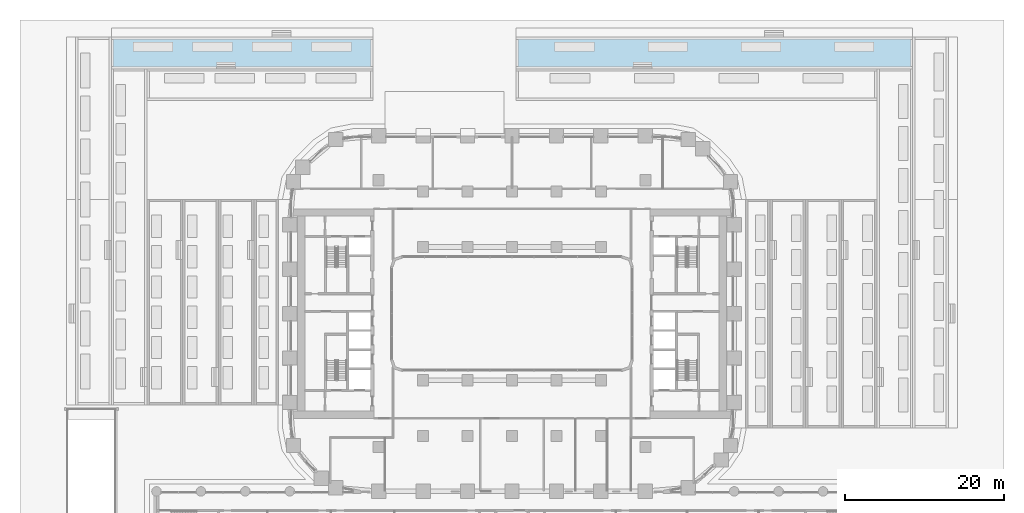
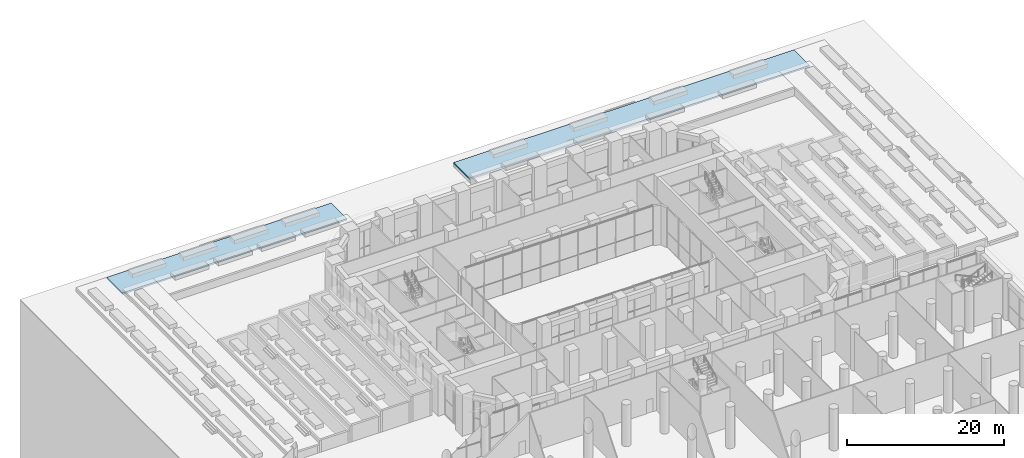
# One storey, part 28 of 51: 2 slabs.
"""IFC4 building model written with IfcOpenShell, lengths in metres."""

from ifc_helpers import new_model, si_unit, direction, frame, origin, place, context, subcontext, project, spatial, polyline, outline, extrude, material, layer, layer_set, type_object, element, save


model = new_model("IFC4")

# Units and contexts
model_context = context("Model", 3, precision=1e-05, world=origin(), true_north=direction((0.0, 1.0)))
body_context = subcontext(model_context, "Body", "Model", "MODEL_VIEW")
ifc_project = project(units=[si_unit("LENGTHUNIT", "METRE"), si_unit("AREAUNIT", "SQUARE_METRE"), si_unit("VOLUMEUNIT", "CUBIC_METRE"), si_unit("PLANEANGLEUNIT", "RADIAN"), si_unit("MASSUNIT", "GRAM", prefix="KILO")], contexts=[model_context])

# Site, building, storey
site_placement = place(None, origin())
site = spatial("IfcSite", under=ifc_project, at=site_placement, CompositionType="ELEMENT")
building_placement = place(site_placement, origin())
building = spatial("IfcBuilding", under=site, at=building_placement, Name="Kiln Ring Residences", CompositionType="ELEMENT")
storey_placement = place(building_placement, origin())
storey = spatial("IfcBuildingStorey", under=building, at=storey_placement, Name="L00", CompositionType="ELEMENT", Elevation=0.0)

# Slabs
ifc_material = material(Name="Concrete C35/45", Category="concrete")
ifc_layer = layer(ifc_material, 0.25)
ifc_layer_set = layer_set([ifc_layer], Name="TERRACE SLAB 250")
slab_type = type_object("IfcSlabType", Name="TERRACE SLAB 250", PredefinedType="FLOOR", material=ifc_layer_set)
placement = place(storey_placement, frame((0.0, 0.0, 0.449951171875)))
element("IfcSlab", 1, at=placement, inside=storey, type_object=slab_type, Name="Planted terrace N2W", PredefinedType="FLOOR", context=body_context, shape_type="SweptSolid", body=[
    extrude(outline(polyline([(-17.5, 30.85009765625), (-17.5, 34.85009765625), (-50.5, 34.85009765625), (-50.5, 30.85009765625), (-17.5, 30.85009765625)])), origin(), (0.0, 0.0, 1.0), 0.25),
])
element("IfcSlab", 2, at=placement, inside=storey, type_object=slab_type, Name="Planted terrace N2E", PredefinedType="FLOOR", context=body_context, shape_type="SweptSolid", body=[
    extrude(outline(polyline([(50.5, 30.85009765625), (50.5, 34.85009765625), (0.5, 34.85009765625), (0.5, 30.85009765625), (50.5, 30.85009765625)])), origin(), (0.0, 0.0, 1.0), 0.25),
])

save(model, "model.ifc")
